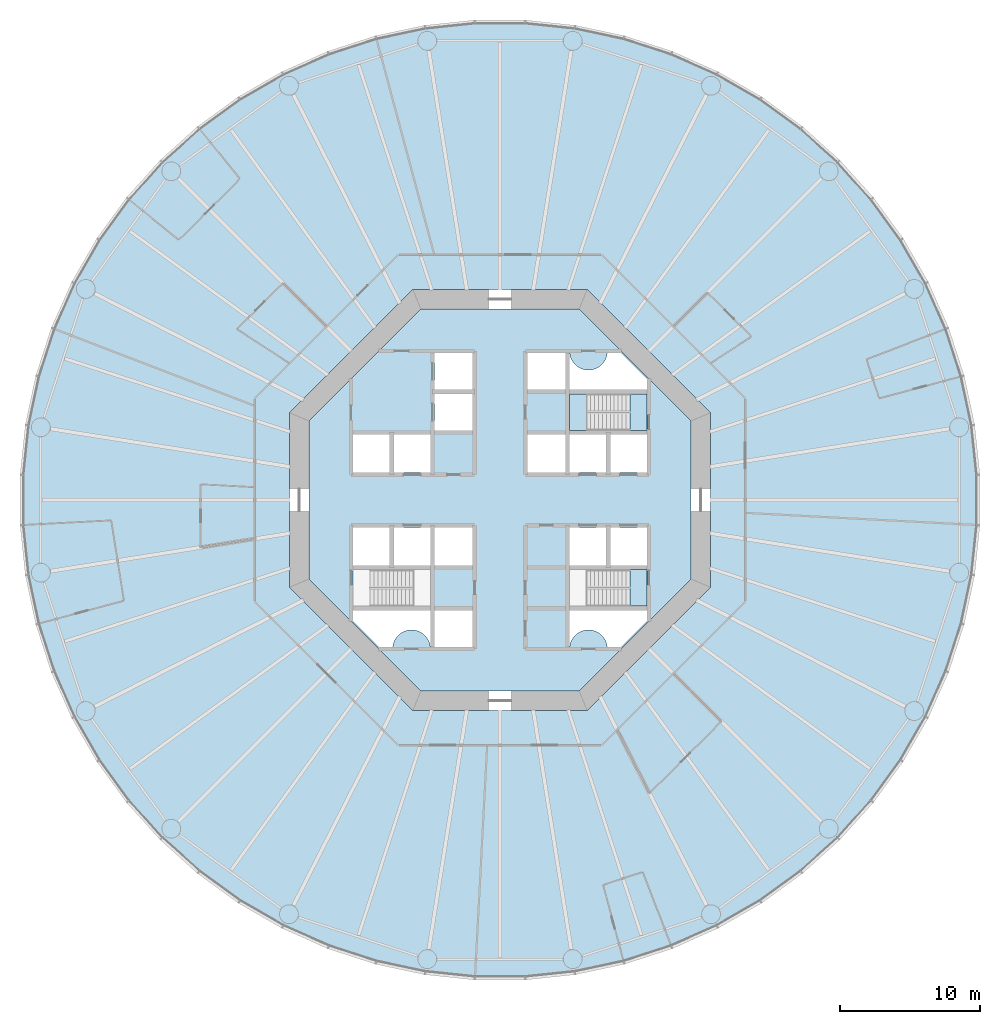
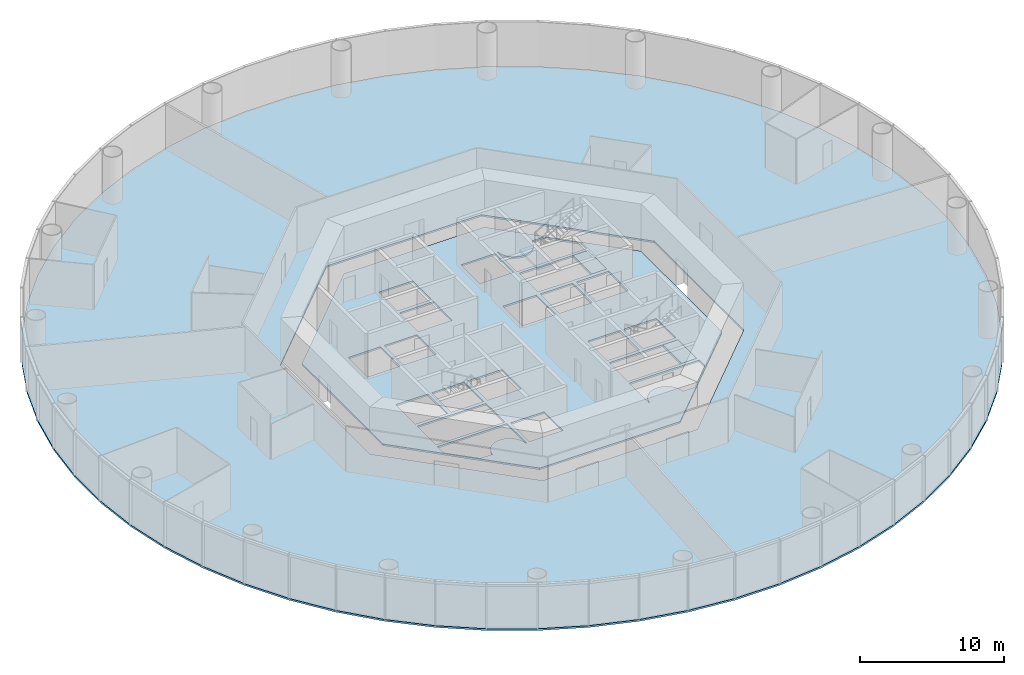
# One storey, part 2 of 12: 5 slabs, 2 elements without a shape of their own.
"""IFC4 building model written with IfcOpenShell, lengths in metres."""

from ifc_helpers import new_model, si_unit, direction, frame, origin, place, context, subcontext, project, spatial, polyline, outline, extrude, material, layer, layer_set, type_object, element, aggregate, save


model = new_model("IFC4")

# Units and contexts
model_context = context("Model", 3, precision=1e-05, world=origin(), true_north=direction((0.0, 1.0)))
body_context = subcontext(model_context, "Body", "Model", "MODEL_VIEW")
ifc_project = project(units=[si_unit("LENGTHUNIT", "METRE"), si_unit("AREAUNIT", "SQUARE_METRE"), si_unit("VOLUMEUNIT", "CUBIC_METRE"), si_unit("PLANEANGLEUNIT", "RADIAN"), si_unit("MASSUNIT", "GRAM", prefix="KILO")], contexts=[model_context])

# Site, building, storey
site_placement = place(None, origin())
site = spatial("IfcSite", under=ifc_project, at=site_placement, CompositionType="ELEMENT")
building_placement = place(site_placement, origin())
building = spatial("IfcBuilding", under=site, at=building_placement, Name="Entoto Ring Tower", CompositionType="ELEMENT")
storey_placement = place(building_placement, frame((0.0, 0.0, 66.0)))
storey = spatial("IfcBuildingStorey", under=building, at=storey_placement, Name="L14", CompositionType="ELEMENT", Elevation=66.0)

# Slabs
ifc_material_1 = material(Name="Concrete C30/37", Category="concrete")
ifc_layer_1 = layer(ifc_material_1, 0.14990234375)
ifc_layer_set_1 = layer_set([ifc_layer_1], Name="Concrete C30/37")
slab_type_1 = type_object("IfcSlabType", Name="Composite floor slab 150 mm", PredefinedType="FLOOR", material=ifc_layer_set_1)
slab_1_placement = place(storey_placement, frame((0.0, 0.0, -0.14990234375)))
element("IfcSlab", 1, at=slab_1_placement, inside=storey, type_object=slab_type_1, Name="Floor slab L14", PredefinedType="FLOOR", context=body_context, shape_type="SweptSolid", body=[
    extrude(outline(polyline([(123.68017578125, 85.33447265625), (122.93798828125, 88.82568359375), (121.835205078125, 92.220458984375), (120.38330078125, 95.48095703125), (118.5986328125, 98.572265625), (116.500732421875, 101.459716796875), (114.1123046875, 104.1123046875), (111.459716796875, 106.500732421875), (108.572265625, 108.5986328125), (105.48095703125, 110.38330078125), (102.220458984375, 111.835205078125), (98.82568359375, 112.93798828125), (95.33447265625, 113.68017578125), (91.78466796875, 114.05322265625), (88.21533203125, 114.05322265625), (84.66552734375, 113.68017578125), (81.17431640625, 112.93798828125), (77.779541015625, 111.835205078125), (74.51904296875, 110.38330078125), (71.427734375, 108.5986328125), (68.540283203125, 106.500732421875), (65.8876953125, 104.1123046875), (63.499267578125, 101.459716796875), (61.4013671875, 98.572265625), (59.61669921875, 95.48095703125), (58.164794921875, 92.220458984375), (57.06201171875, 88.82568359375), (56.31982421875, 85.33447265625), (55.94677734375, 81.78466796875), (55.94677734375, 78.21533203125), (56.31982421875, 74.66552734375), (57.06201171875, 71.17431640625), (58.164794921875, 67.779541015625), (59.61669921875, 64.51904296875), (61.4013671875, 61.427734375), (63.499267578125, 58.540283203125), (65.8876953125, 55.8876953125), (68.540283203125, 53.499267578125), (71.427734375, 51.4013671875), (74.51904296875, 49.61669921875), (77.779541015625, 48.164794921875), (81.17431640625, 47.06201171875), (84.66552734375, 46.31982421875), (88.21533203125, 45.94677734375), (91.78466796875, 45.94677734375), (95.33447265625, 46.31982421875), (98.82568359375, 47.06201171875), (102.220458984375, 48.164794921875), (105.48095703125, 49.61669921875), (108.572265625, 51.4013671875), (111.459716796875, 53.499267578125), (114.1123046875, 55.8876953125), (116.500732421875, 58.540283203125), (118.5986328125, 61.427734375), (120.38330078125, 64.51904296875), (121.835205078125, 67.779541015625), (122.93798828125, 71.17431640625), (123.68017578125, 74.66552734375), (124.05322265625, 78.21533203125), (124.05322265625, 81.78466796875), (123.68017578125, 85.33447265625)]), holes=[polyline([(105.0, 73.786865234375), (105.0, 86.213134765625), (96.213134765625, 95.0), (83.786865234375, 95.0), (75.0, 86.213134765625), (75.0, 73.786865234375), (83.786865234375, 65.0), (96.213134765625, 65.0), (105.0, 73.786865234375)])]), origin(), (0.0, 0.0, 1.0), 0.14990234375),
])
ifc_material_2 = material(Name="Concrete C40/50", Category="concrete")
ifc_layer_2 = layer(ifc_material_2, 0.14990234375)
ifc_layer_set_2 = layer_set([ifc_layer_2], Name="Concrete C40/50")
slab_type_2 = type_object("IfcSlabType", Name="Core floor slab 150 mm reinforced concrete C40/50", PredefinedType="FLOOR", material=ifc_layer_set_2)
slab_2_placement = place(storey_placement, frame((0.0, 0.0, -0.14990234375)))
element("IfcSlab", 2, at=slab_2_placement, inside=storey, type_object=slab_type_2, Name="Core floor L14", PredefinedType="FLOOR", context=body_context, shape_type="SweptSolid", body=[
    extrude(outline(polyline([(103.60009765625, 74.36669921875), (103.60009765625, 85.63330078125), (95.63330078125, 93.60009765625), (84.36669921875, 93.60009765625), (76.39990234375, 85.63330078125), (76.39990234375, 74.36669921875), (84.36669921875, 66.39990234375), (95.63330078125, 66.39990234375), (103.60009765625, 74.36669921875)]), holes=[polyline([(100.449951171875, 84.949951171875), (100.449951171875, 87.550048828125), (94.949951171875, 87.550048828125), (94.949951171875, 84.949951171875), (100.449951171875, 84.949951171875)]), polyline([(85.050048828125, 72.449951171875), (85.050048828125, 75.050048828125), (79.550048828125, 75.050048828125), (79.550048828125, 72.449951171875), (85.050048828125, 72.449951171875)]), polyline([(100.449951171875, 72.449951171875), (100.449951171875, 75.050048828125), (94.949951171875, 75.050048828125), (94.949951171875, 72.449951171875), (100.449951171875, 72.449951171875)]), polyline([(94.949951171875, 81.949951171875), (97.550048828125, 81.949951171875), (97.550048828125, 84.64990234375), (94.949951171875, 84.64990234375), (94.949951171875, 81.949951171875)]), polyline([(97.85009765625, 81.949951171875), (100.449951171875, 81.949951171875), (100.449951171875, 84.64990234375), (97.85009765625, 84.64990234375), (97.85009765625, 81.949951171875)]), polyline([(82.449951171875, 81.949951171875), (85.050048828125, 81.949951171875), (85.050048828125, 84.64990234375), (82.449951171875, 84.64990234375), (82.449951171875, 81.949951171875)]), polyline([(94.949951171875, 75.35009765625), (97.550048828125, 75.35009765625), (97.550048828125, 78.050048828125), (94.949951171875, 78.050048828125), (94.949951171875, 75.35009765625)]), polyline([(97.85009765625, 75.35009765625), (100.449951171875, 75.35009765625), (100.449951171875, 78.050048828125), (97.85009765625, 78.050048828125), (97.85009765625, 75.35009765625)]), polyline([(82.449951171875, 75.35009765625), (85.050048828125, 75.35009765625), (85.050048828125, 78.050048828125), (82.449951171875, 78.050048828125), (82.449951171875, 75.35009765625)]), polyline([(79.550048828125, 81.949951171875), (82.14990234375, 81.949951171875), (82.14990234375, 84.64990234375), (79.550048828125, 84.64990234375), (79.550048828125, 81.949951171875)]), polyline([(79.550048828125, 75.35009765625), (82.14990234375, 75.35009765625), (82.14990234375, 78.050048828125), (79.550048828125, 78.050048828125), (79.550048828125, 75.35009765625)]), polyline([(91.949951171875, 87.85009765625), (94.64990234375, 87.85009765625), (94.64990234375, 90.449951171875), (91.949951171875, 90.449951171875), (91.949951171875, 87.85009765625)]), polyline([(85.35009765625, 69.550048828125), (88.050048828125, 69.550048828125), (88.050048828125, 72.14990234375), (85.35009765625, 72.14990234375), (85.35009765625, 69.550048828125)]), polyline([(91.949951171875, 81.949951171875), (94.64990234375, 81.949951171875), (94.64990234375, 84.64990234375), (91.949951171875, 84.64990234375), (91.949951171875, 81.949951171875)]), polyline([(85.35009765625, 75.35009765625), (88.050048828125, 75.35009765625), (88.050048828125, 78.050048828125), (85.35009765625, 78.050048828125), (85.35009765625, 75.35009765625)]), polyline([(85.35009765625, 84.949951171875), (88.050048828125, 84.949951171875), (88.050048828125, 87.550048828125), (85.35009765625, 87.550048828125), (85.35009765625, 84.949951171875)]), polyline([(85.35009765625, 87.85009765625), (88.050048828125, 87.85009765625), (88.050048828125, 90.449951171875), (85.35009765625, 90.449951171875), (85.35009765625, 87.85009765625)]), polyline([(94.89990234375, 90.5), (94.89990234375, 87.800048828125), (100.5, 87.800048828125), (100.5, 88.591796875), (98.591796875, 90.5), (97.64501953125, 90.5), (97.6435546875, 90.4677734375), (97.6240234375, 90.336669921875), (97.591796875, 90.2080078125), (97.547119140625, 90.08349609375), (97.490478515625, 89.963623046875), (97.422607421875, 89.85009765625), (97.343505859375, 89.74365234375), (97.254638671875, 89.6455078125), (97.156494140625, 89.556396484375), (97.050048828125, 89.4775390625), (96.936279296875, 89.409423828125), (96.816650390625, 89.352783203125), (96.69189453125, 89.30810546875), (96.5634765625, 89.27587890625), (96.432373046875, 89.256591796875), (96.300048828125, 89.25), (96.167724609375, 89.256591796875), (96.03662109375, 89.27587890625), (95.908203125, 89.30810546875), (95.783447265625, 89.352783203125), (95.66357421875, 89.409423828125), (95.550048828125, 89.4775390625), (95.443603515625, 89.556396484375), (95.345458984375, 89.6455078125), (95.25634765625, 89.74365234375), (95.177490234375, 89.85009765625), (95.109375, 89.963623046875), (95.052734375, 90.08349609375), (95.008056640625, 90.2080078125), (94.975830078125, 90.336669921875), (94.95654296875, 90.4677734375), (94.954833984375, 90.5), (94.89990234375, 90.5)]), polyline([(79.5, 71.408203125), (81.408203125, 69.5), (82.35498046875, 69.5), (82.3564453125, 69.5322265625), (82.3759765625, 69.663330078125), (82.408203125, 69.7919921875), (82.452880859375, 69.91650390625), (82.509521484375, 70.036376953125), (82.577392578125, 70.14990234375), (82.656494140625, 70.25634765625), (82.745361328125, 70.3544921875), (82.843505859375, 70.443603515625), (82.949951171875, 70.5224609375), (83.063720703125, 70.590576171875), (83.183349609375, 70.647216796875), (83.30810546875, 70.69189453125), (83.4365234375, 70.72412109375), (83.567626953125, 70.743408203125), (83.699951171875, 70.75), (83.832275390625, 70.743408203125), (83.96337890625, 70.72412109375), (84.091796875, 70.69189453125), (84.216552734375, 70.647216796875), (84.33642578125, 70.590576171875), (84.449951171875, 70.5224609375), (84.556396484375, 70.443603515625), (84.654541015625, 70.3544921875), (84.74365234375, 70.25634765625), (84.822509765625, 70.14990234375), (84.890625, 70.036376953125), (84.947265625, 69.91650390625), (84.991943359375, 69.7919921875), (85.024169921875, 69.663330078125), (85.04345703125, 69.5322265625), (85.045166015625, 69.5), (85.10009765625, 69.5), (85.10009765625, 72.199951171875), (79.5, 72.199951171875), (79.5, 71.408203125)]), polyline([(97.64501953125, 69.5), (98.591796875, 69.5), (100.5, 71.408203125), (100.5, 72.199951171875), (94.89990234375, 72.199951171875), (94.89990234375, 69.5), (94.954833984375, 69.5), (94.95654296875, 69.5322265625), (94.975830078125, 69.663330078125), (95.008056640625, 69.7919921875), (95.052734375, 69.91650390625), (95.109375, 70.036376953125), (95.177490234375, 70.14990234375), (95.25634765625, 70.25634765625), (95.345458984375, 70.3544921875), (95.443603515625, 70.443603515625), (95.550048828125, 70.5224609375), (95.66357421875, 70.590576171875), (95.783447265625, 70.647216796875), (95.908203125, 70.69189453125), (96.03662109375, 70.72412109375), (96.167724609375, 70.743408203125), (96.300048828125, 70.75), (96.432373046875, 70.743408203125), (96.5634765625, 70.72412109375), (96.69189453125, 70.69189453125), (96.816650390625, 70.647216796875), (96.936279296875, 70.590576171875), (97.050048828125, 70.5224609375), (97.156494140625, 70.443603515625), (97.254638671875, 70.3544921875), (97.343505859375, 70.25634765625), (97.422607421875, 70.14990234375), (97.490478515625, 70.036376953125), (97.547119140625, 69.91650390625), (97.591796875, 69.7919921875), (97.6240234375, 69.663330078125), (97.6435546875, 69.5322265625), (97.64501953125, 69.5)])]), origin(), (0.0, 0.0, 1.0), 0.14990234375),
])

# Stair, slabs
ifc_material_3 = material(Name="Concrete C40/50", Category="concrete")
stair_type = type_object("IfcStairType", Name="Exit stair 1200 mm dog-leg reinforced concrete", PredefinedType="HALF_TURN_STAIR", material=ifc_material_3)
stair_1_placement = place(storey_placement, origin())
stair_1 = element("IfcStair", 3, at=stair_1_placement, inside=storey, type_object=stair_type, Name="Exit stair 1", PredefinedType="HALF_TURN_STAIR")
ifc_material_4 = material(Name="Concrete C40/50", Category="concrete")
ifc_layer_3 = layer(ifc_material_4, 0.199951171875)
ifc_layer_set_3 = layer_set([ifc_layer_3], Name="Concrete C40/50")
slab_type_3 = type_object("IfcSlabType", Name="Stair landing 200 mm reinforced concrete", PredefinedType="LANDING", material=ifc_layer_set_3)
slab_3_placement = place(storey_placement, frame((0.0, 0.0, -0.199951171875)))
slab_3 = element("IfcSlab", 4, at=slab_3_placement, type_object=slab_type_3, Name="ST1 landing 1", PredefinedType="LANDING", context=body_context, shape_type="SweptSolid", body=[
    extrude(outline(polyline([(100.449951171875, 84.949951171875), (100.449951171875, 87.550048828125), (99.25, 87.550048828125), (99.25, 84.949951171875), (100.449951171875, 84.949951171875)])), origin(), (0.0, 0.0, 1.0), 0.199951171875),
])
slab_4_placement = place(storey_placement, frame((0.0, 0.0, 1.800048828125)))
slab_4 = element("IfcSlab", 5, at=slab_4_placement, type_object=slab_type_3, Name="ST1 landing 2", PredefinedType="LANDING", context=body_context, shape_type="SweptSolid", body=[
    extrude(outline(polyline([(94.949951171875, 84.949951171875), (96.169921875, 84.949951171875), (96.169921875, 87.550048828125), (94.949951171875, 87.550048828125), (94.949951171875, 84.949951171875)])), origin(), (0.0, 0.0, 1.0), 0.199951171875),
])
aggregate(stair_1, [slab_3, slab_4])

# Stair, slab
stair_2_placement = place(storey_placement, origin())
stair_2 = element("IfcStair", 6, at=stair_2_placement, inside=storey, type_object=stair_type, Name="Exit stair 3", PredefinedType="HALF_TURN_STAIR")
slab_5_placement = place(storey_placement, frame((0.0, 0.0, -0.199951171875)))
slab_5 = element("IfcSlab", 7, at=slab_5_placement, type_object=slab_type_3, Name="ST3 landing 1", PredefinedType="LANDING", context=body_context, shape_type="SweptSolid", body=[
    extrude(outline(polyline([(100.449951171875, 72.449951171875), (100.449951171875, 75.050048828125), (99.25, 75.050048828125), (99.25, 72.449951171875), (100.449951171875, 72.449951171875)])), origin(), (0.0, 0.0, 1.0), 0.199951171875),
])
aggregate(stair_2, [slab_5])

save(model, "model.ifc")
